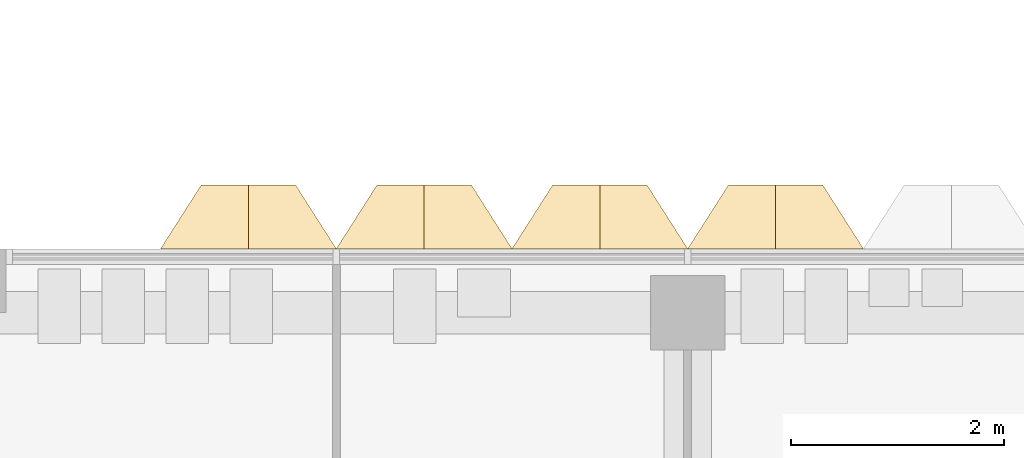
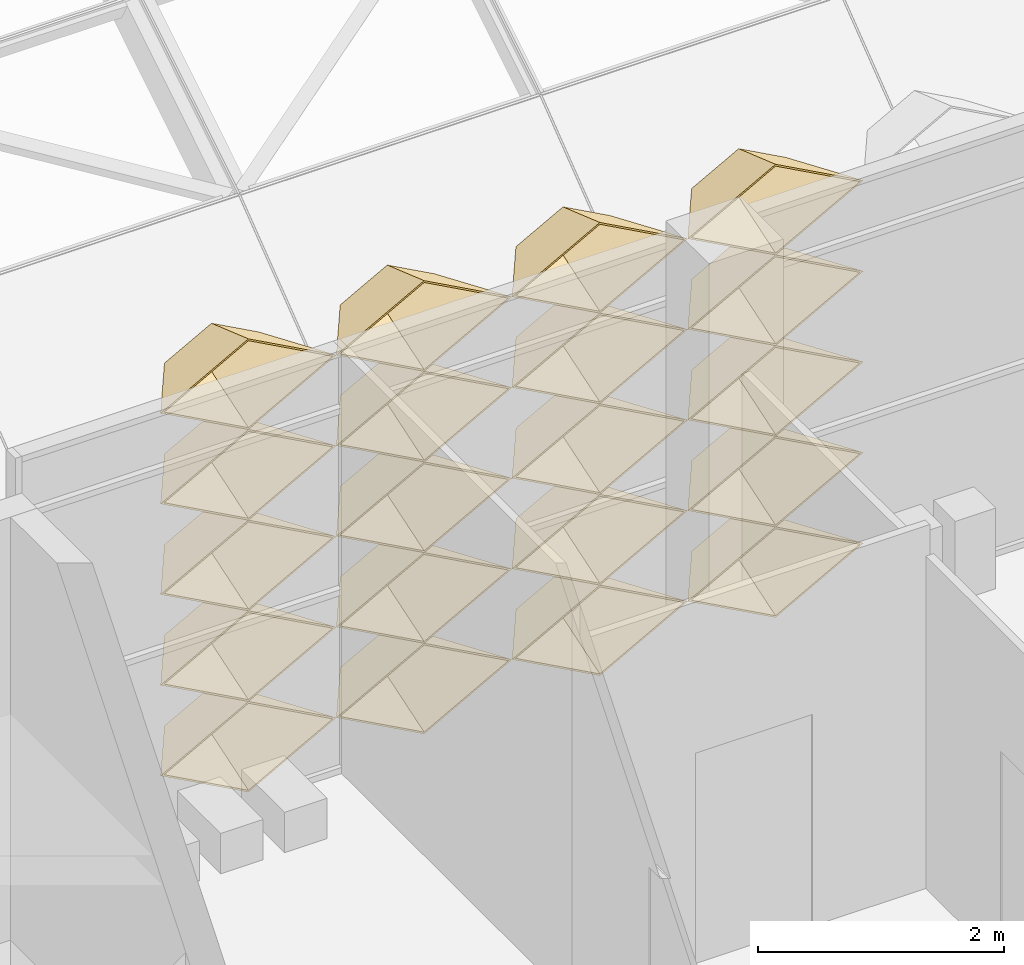
# One storey, part 54 of 85: 20 coverings.
"""IFC4 building model written with IfcOpenShell, lengths in metres."""

from ifc_helpers import new_model, entity, si_unit, direction, frame, origin, place, context, subcontext, project, spatial, material, layer, layer_set, type_object, element, save


model = new_model("IFC4")

# Units and contexts
model_context = context("Model", 3, precision=1e-05, world=origin(), true_north=direction((0.0, 1.0)))
body_context = subcontext(model_context, "Body", "Model", "MODEL_VIEW")
ifc_project = project(units=[si_unit("LENGTHUNIT", "METRE"), si_unit("AREAUNIT", "SQUARE_METRE"), si_unit("VOLUMEUNIT", "CUBIC_METRE"), si_unit("PLANEANGLEUNIT", "RADIAN"), si_unit("MASSUNIT", "GRAM", prefix="KILO")], contexts=[model_context])

# Site, building, storey
site_placement = place(None, origin())
site = spatial("IfcSite", under=ifc_project, at=site_placement, CompositionType="ELEMENT")
building_placement = place(site_placement, origin())
building = spatial("IfcBuilding", under=site, at=building_placement, Name="Lantern Court Research Institute", CompositionType="ELEMENT")
storey_placement = place(building_placement, frame((0.0, 0.0, 18.89990234375)))
storey = spatial("IfcBuildingStorey", under=building, at=storey_placement, Name="L04", CompositionType="ELEMENT", Elevation=18.89990234375)

# Coverings
ifc_material = material(Name="Anodised aluminium", Category="aluminium")
ifc_layer = layer(ifc_material, 0.01611328125)
ifc_layer_set = layer_set([ifc_layer], Name="Anodised aluminium")
covering_type = type_object("IfcCoveringType", Name="Fin cassette 1650 x 900 x 600 aluminium", PredefinedType="CLADDING", material=ifc_layer_set)
covering_1_placement = place(storey_placement, frame((42.074951171875, 23.699951171875, 0.4501953125), z_axis=(0.0, 1.0, 0.0), x_axis=(-1.0, 0.0, 0.0)))
cartesian_point_1 = entity("IfcCartesianPoint", [0.824951171875, 0.0])
cartesian_point_2 = entity("IfcCartesianPoint", [0.79150390625, 0.0])
cartesian_point_3 = entity("IfcCartesianPoint", [0.44189453125, 0.0])
cartesian_point_4 = entity("IfcCartesianPoint", [0.43359375, 0.0])
element("IfcCovering", 1, at=covering_1_placement, inside=storey, type_object=covering_type, Name="Fin cassette V4N-L04 1.26", PredefinedType="CLADDING", context=body_context, shape_type="SweptSolid", body=[
    entity("IfcExtrudedAreaSolidTapered", entity("IfcArbitraryProfileDefWithVoids", "AREA", None, entity("IfcPolyline", [cartesian_point_1, entity("IfcCartesianPoint", [0.0, 0.449951171875]), entity("IfcCartesianPoint", [-0.824951171875, 0.0]), entity("IfcCartesianPoint", [0.0, -0.449951171875]), cartesian_point_1]), [entity("IfcPolyline", [cartesian_point_2, entity("IfcCartesianPoint", [0.0, 0.431884765625]), entity("IfcCartesianPoint", [-0.79150390625, 0.0]), entity("IfcCartesianPoint", [0.0, -0.431884765625]), cartesian_point_2])]), entity("IfcAxis2Placement3D", entity("IfcCartesianPoint", [0.0, 0.0, 0.0])), entity("IfcDirection", [0.0, 0.0, 1.0]), 0.60009765625, entity("IfcArbitraryProfileDefWithVoids", "AREA", None, entity("IfcPolyline", [cartesian_point_3, entity("IfcCartesianPoint", [0.0, 0.240966796875]), entity("IfcCartesianPoint", [-0.44189453125, 0.0]), entity("IfcCartesianPoint", [0.0, -0.240966796875]), cartesian_point_3]), [entity("IfcPolyline", [cartesian_point_4, entity("IfcCartesianPoint", [0.0, 0.236572265625]), entity("IfcCartesianPoint", [-0.43359375, 0.0]), entity("IfcCartesianPoint", [0.0, -0.236572265625]), cartesian_point_4])])),
])
covering_2_placement = place(storey_placement, frame((43.72509765625, 23.699951171875, 0.4501953125), z_axis=(0.0, 1.0, 0.0), x_axis=(-1.0, 0.0, 0.0)))
cartesian_point_5 = entity("IfcCartesianPoint", [0.824951171875, 0.0])
cartesian_point_6 = entity("IfcCartesianPoint", [0.79150390625, 0.0])
cartesian_point_7 = entity("IfcCartesianPoint", [0.44189453125, 0.0])
cartesian_point_8 = entity("IfcCartesianPoint", [0.43359375, 0.0])
element("IfcCovering", 2, at=covering_2_placement, inside=storey, type_object=covering_type, Name="Fin cassette V4N-L04 1.27", PredefinedType="CLADDING", context=body_context, shape_type="SweptSolid", body=[
    entity("IfcExtrudedAreaSolidTapered", entity("IfcArbitraryProfileDefWithVoids", "AREA", None, entity("IfcPolyline", [cartesian_point_5, entity("IfcCartesianPoint", [0.0, 0.449951171875]), entity("IfcCartesianPoint", [-0.824951171875, 0.0]), entity("IfcCartesianPoint", [0.0, -0.449951171875]), cartesian_point_5]), [entity("IfcPolyline", [cartesian_point_6, entity("IfcCartesianPoint", [0.0, 0.431884765625]), entity("IfcCartesianPoint", [-0.79150390625, 0.0]), entity("IfcCartesianPoint", [0.0, -0.431884765625]), cartesian_point_6])]), entity("IfcAxis2Placement3D", entity("IfcCartesianPoint", [0.0, 0.0, 0.0])), entity("IfcDirection", [0.0, 0.0, 1.0]), 0.60009765625, entity("IfcArbitraryProfileDefWithVoids", "AREA", None, entity("IfcPolyline", [cartesian_point_7, entity("IfcCartesianPoint", [0.0, 0.240966796875]), entity("IfcCartesianPoint", [-0.44189453125, 0.0]), entity("IfcCartesianPoint", [0.0, -0.240966796875]), cartesian_point_7]), [entity("IfcPolyline", [cartesian_point_8, entity("IfcCartesianPoint", [0.0, 0.236572265625]), entity("IfcCartesianPoint", [-0.43359375, 0.0]), entity("IfcCartesianPoint", [0.0, -0.236572265625]), cartesian_point_8])])),
])
covering_3_placement = place(storey_placement, frame((45.375, 23.699951171875, 0.4501953125), z_axis=(0.0, 1.0, 0.0), x_axis=(-1.0, 0.0, 0.0)))
cartesian_point_9 = entity("IfcCartesianPoint", [0.824951171875, 0.0])
cartesian_point_10 = entity("IfcCartesianPoint", [0.79150390625, 0.0])
cartesian_point_11 = entity("IfcCartesianPoint", [0.44189453125, 0.0])
cartesian_point_12 = entity("IfcCartesianPoint", [0.43359375, 0.0])
element("IfcCovering", 3, at=covering_3_placement, inside=storey, type_object=covering_type, Name="Fin cassette V4N-L04 1.28", PredefinedType="CLADDING", context=body_context, shape_type="SweptSolid", body=[
    entity("IfcExtrudedAreaSolidTapered", entity("IfcArbitraryProfileDefWithVoids", "AREA", None, entity("IfcPolyline", [cartesian_point_9, entity("IfcCartesianPoint", [0.0, 0.449951171875]), entity("IfcCartesianPoint", [-0.824951171875, 0.0]), entity("IfcCartesianPoint", [0.0, -0.449951171875]), cartesian_point_9]), [entity("IfcPolyline", [cartesian_point_10, entity("IfcCartesianPoint", [0.0, 0.431884765625]), entity("IfcCartesianPoint", [-0.79150390625, 0.0]), entity("IfcCartesianPoint", [0.0, -0.431884765625]), cartesian_point_10])]), entity("IfcAxis2Placement3D", entity("IfcCartesianPoint", [0.0, 0.0, 0.0])), entity("IfcDirection", [0.0, 0.0, 1.0]), 0.60009765625, entity("IfcArbitraryProfileDefWithVoids", "AREA", None, entity("IfcPolyline", [cartesian_point_11, entity("IfcCartesianPoint", [0.0, 0.240966796875]), entity("IfcCartesianPoint", [-0.44189453125, 0.0]), entity("IfcCartesianPoint", [0.0, -0.240966796875]), cartesian_point_11]), [entity("IfcPolyline", [cartesian_point_12, entity("IfcCartesianPoint", [0.0, 0.236572265625]), entity("IfcCartesianPoint", [-0.43359375, 0.0]), entity("IfcCartesianPoint", [0.0, -0.236572265625]), cartesian_point_12])])),
])
covering_4_placement = place(storey_placement, frame((47.02490234375, 23.699951171875, 0.4501953125), z_axis=(0.0, 1.0, 0.0), x_axis=(-1.0, 0.0, 0.0)))
cartesian_point_13 = entity("IfcCartesianPoint", [0.824951171875, 0.0])
cartesian_point_14 = entity("IfcCartesianPoint", [0.79150390625, 0.0])
cartesian_point_15 = entity("IfcCartesianPoint", [0.44189453125, 0.0])
cartesian_point_16 = entity("IfcCartesianPoint", [0.43359375, 0.0])
element("IfcCovering", 4, at=covering_4_placement, inside=storey, type_object=covering_type, Name="Fin cassette V4N-L04 1.29", PredefinedType="CLADDING", context=body_context, shape_type="SweptSolid", body=[
    entity("IfcExtrudedAreaSolidTapered", entity("IfcArbitraryProfileDefWithVoids", "AREA", None, entity("IfcPolyline", [cartesian_point_13, entity("IfcCartesianPoint", [0.0, 0.449951171875]), entity("IfcCartesianPoint", [-0.824951171875, 0.0]), entity("IfcCartesianPoint", [0.0, -0.449951171875]), cartesian_point_13]), [entity("IfcPolyline", [cartesian_point_14, entity("IfcCartesianPoint", [0.0, 0.431884765625]), entity("IfcCartesianPoint", [-0.79150390625, 0.0]), entity("IfcCartesianPoint", [0.0, -0.431884765625]), cartesian_point_14])]), entity("IfcAxis2Placement3D", entity("IfcCartesianPoint", [0.0, 0.0, 0.0])), entity("IfcDirection", [0.0, 0.0, 1.0]), 0.60009765625, entity("IfcArbitraryProfileDefWithVoids", "AREA", None, entity("IfcPolyline", [cartesian_point_15, entity("IfcCartesianPoint", [0.0, 0.240966796875]), entity("IfcCartesianPoint", [-0.44189453125, 0.0]), entity("IfcCartesianPoint", [0.0, -0.240966796875]), cartesian_point_15]), [entity("IfcPolyline", [cartesian_point_16, entity("IfcCartesianPoint", [0.0, 0.236572265625]), entity("IfcCartesianPoint", [-0.43359375, 0.0]), entity("IfcCartesianPoint", [0.0, -0.236572265625]), cartesian_point_16])])),
])
covering_5_placement = place(storey_placement, frame((42.074951171875, 23.699951171875, 1.35009765625), z_axis=(0.0, 1.0, 0.0), x_axis=(-1.0, 0.0, 0.0)))
cartesian_point_17 = entity("IfcCartesianPoint", [0.824951171875, 0.0])
cartesian_point_18 = entity("IfcCartesianPoint", [0.79150390625, 0.0])
cartesian_point_19 = entity("IfcCartesianPoint", [0.44189453125, 0.0])
cartesian_point_20 = entity("IfcCartesianPoint", [0.43359375, 0.0])
element("IfcCovering", 5, at=covering_5_placement, inside=storey, type_object=covering_type, Name="Fin cassette V4N-L04 2.26", PredefinedType="CLADDING", context=body_context, shape_type="SweptSolid", body=[
    entity("IfcExtrudedAreaSolidTapered", entity("IfcArbitraryProfileDefWithVoids", "AREA", None, entity("IfcPolyline", [cartesian_point_17, entity("IfcCartesianPoint", [0.0, 0.449951171875]), entity("IfcCartesianPoint", [-0.824951171875, 0.0]), entity("IfcCartesianPoint", [0.0, -0.449951171875]), cartesian_point_17]), [entity("IfcPolyline", [cartesian_point_18, entity("IfcCartesianPoint", [0.0, 0.431884765625]), entity("IfcCartesianPoint", [-0.79150390625, 0.0]), entity("IfcCartesianPoint", [0.0, -0.431884765625]), cartesian_point_18])]), entity("IfcAxis2Placement3D", entity("IfcCartesianPoint", [0.0, 0.0, 0.0])), entity("IfcDirection", [0.0, 0.0, 1.0]), 0.60009765625, entity("IfcArbitraryProfileDefWithVoids", "AREA", None, entity("IfcPolyline", [cartesian_point_19, entity("IfcCartesianPoint", [0.0, 0.240966796875]), entity("IfcCartesianPoint", [-0.44189453125, 0.0]), entity("IfcCartesianPoint", [0.0, -0.240966796875]), cartesian_point_19]), [entity("IfcPolyline", [cartesian_point_20, entity("IfcCartesianPoint", [0.0, 0.236572265625]), entity("IfcCartesianPoint", [-0.43359375, 0.0]), entity("IfcCartesianPoint", [0.0, -0.236572265625]), cartesian_point_20])])),
])
covering_6_placement = place(storey_placement, frame((43.72509765625, 23.699951171875, 1.35009765625), z_axis=(0.0, 1.0, 0.0), x_axis=(-1.0, 0.0, 0.0)))
cartesian_point_21 = entity("IfcCartesianPoint", [0.824951171875, 0.0])
cartesian_point_22 = entity("IfcCartesianPoint", [0.79150390625, 0.0])
cartesian_point_23 = entity("IfcCartesianPoint", [0.44189453125, 0.0])
cartesian_point_24 = entity("IfcCartesianPoint", [0.43359375, 0.0])
element("IfcCovering", 6, at=covering_6_placement, inside=storey, type_object=covering_type, Name="Fin cassette V4N-L04 2.27", PredefinedType="CLADDING", context=body_context, shape_type="SweptSolid", body=[
    entity("IfcExtrudedAreaSolidTapered", entity("IfcArbitraryProfileDefWithVoids", "AREA", None, entity("IfcPolyline", [cartesian_point_21, entity("IfcCartesianPoint", [0.0, 0.449951171875]), entity("IfcCartesianPoint", [-0.824951171875, 0.0]), entity("IfcCartesianPoint", [0.0, -0.449951171875]), cartesian_point_21]), [entity("IfcPolyline", [cartesian_point_22, entity("IfcCartesianPoint", [0.0, 0.431884765625]), entity("IfcCartesianPoint", [-0.79150390625, 0.0]), entity("IfcCartesianPoint", [0.0, -0.431884765625]), cartesian_point_22])]), entity("IfcAxis2Placement3D", entity("IfcCartesianPoint", [0.0, 0.0, 0.0])), entity("IfcDirection", [0.0, 0.0, 1.0]), 0.60009765625, entity("IfcArbitraryProfileDefWithVoids", "AREA", None, entity("IfcPolyline", [cartesian_point_23, entity("IfcCartesianPoint", [0.0, 0.240966796875]), entity("IfcCartesianPoint", [-0.44189453125, 0.0]), entity("IfcCartesianPoint", [0.0, -0.240966796875]), cartesian_point_23]), [entity("IfcPolyline", [cartesian_point_24, entity("IfcCartesianPoint", [0.0, 0.236572265625]), entity("IfcCartesianPoint", [-0.43359375, 0.0]), entity("IfcCartesianPoint", [0.0, -0.236572265625]), cartesian_point_24])])),
])
covering_7_placement = place(storey_placement, frame((45.375, 23.699951171875, 1.35009765625), z_axis=(0.0, 1.0, 0.0), x_axis=(-1.0, 0.0, 0.0)))
cartesian_point_25 = entity("IfcCartesianPoint", [0.824951171875, 0.0])
cartesian_point_26 = entity("IfcCartesianPoint", [0.79150390625, 0.0])
cartesian_point_27 = entity("IfcCartesianPoint", [0.44189453125, 0.0])
cartesian_point_28 = entity("IfcCartesianPoint", [0.43359375, 0.0])
element("IfcCovering", 7, at=covering_7_placement, inside=storey, type_object=covering_type, Name="Fin cassette V4N-L04 2.28", PredefinedType="CLADDING", context=body_context, shape_type="SweptSolid", body=[
    entity("IfcExtrudedAreaSolidTapered", entity("IfcArbitraryProfileDefWithVoids", "AREA", None, entity("IfcPolyline", [cartesian_point_25, entity("IfcCartesianPoint", [0.0, 0.449951171875]), entity("IfcCartesianPoint", [-0.824951171875, 0.0]), entity("IfcCartesianPoint", [0.0, -0.449951171875]), cartesian_point_25]), [entity("IfcPolyline", [cartesian_point_26, entity("IfcCartesianPoint", [0.0, 0.431884765625]), entity("IfcCartesianPoint", [-0.79150390625, 0.0]), entity("IfcCartesianPoint", [0.0, -0.431884765625]), cartesian_point_26])]), entity("IfcAxis2Placement3D", entity("IfcCartesianPoint", [0.0, 0.0, 0.0])), entity("IfcDirection", [0.0, 0.0, 1.0]), 0.60009765625, entity("IfcArbitraryProfileDefWithVoids", "AREA", None, entity("IfcPolyline", [cartesian_point_27, entity("IfcCartesianPoint", [0.0, 0.240966796875]), entity("IfcCartesianPoint", [-0.44189453125, 0.0]), entity("IfcCartesianPoint", [0.0, -0.240966796875]), cartesian_point_27]), [entity("IfcPolyline", [cartesian_point_28, entity("IfcCartesianPoint", [0.0, 0.236572265625]), entity("IfcCartesianPoint", [-0.43359375, 0.0]), entity("IfcCartesianPoint", [0.0, -0.236572265625]), cartesian_point_28])])),
])
covering_8_placement = place(storey_placement, frame((47.02490234375, 23.699951171875, 1.35009765625), z_axis=(0.0, 1.0, 0.0), x_axis=(-1.0, 0.0, 0.0)))
cartesian_point_29 = entity("IfcCartesianPoint", [0.824951171875, 0.0])
cartesian_point_30 = entity("IfcCartesianPoint", [0.79150390625, 0.0])
cartesian_point_31 = entity("IfcCartesianPoint", [0.44189453125, 0.0])
cartesian_point_32 = entity("IfcCartesianPoint", [0.43359375, 0.0])
element("IfcCovering", 8, at=covering_8_placement, inside=storey, type_object=covering_type, Name="Fin cassette V4N-L04 2.29", PredefinedType="CLADDING", context=body_context, shape_type="SweptSolid", body=[
    entity("IfcExtrudedAreaSolidTapered", entity("IfcArbitraryProfileDefWithVoids", "AREA", None, entity("IfcPolyline", [cartesian_point_29, entity("IfcCartesianPoint", [0.0, 0.449951171875]), entity("IfcCartesianPoint", [-0.824951171875, 0.0]), entity("IfcCartesianPoint", [0.0, -0.449951171875]), cartesian_point_29]), [entity("IfcPolyline", [cartesian_point_30, entity("IfcCartesianPoint", [0.0, 0.431884765625]), entity("IfcCartesianPoint", [-0.79150390625, 0.0]), entity("IfcCartesianPoint", [0.0, -0.431884765625]), cartesian_point_30])]), entity("IfcAxis2Placement3D", entity("IfcCartesianPoint", [0.0, 0.0, 0.0])), entity("IfcDirection", [0.0, 0.0, 1.0]), 0.60009765625, entity("IfcArbitraryProfileDefWithVoids", "AREA", None, entity("IfcPolyline", [cartesian_point_31, entity("IfcCartesianPoint", [0.0, 0.240966796875]), entity("IfcCartesianPoint", [-0.44189453125, 0.0]), entity("IfcCartesianPoint", [0.0, -0.240966796875]), cartesian_point_31]), [entity("IfcPolyline", [cartesian_point_32, entity("IfcCartesianPoint", [0.0, 0.236572265625]), entity("IfcCartesianPoint", [-0.43359375, 0.0]), entity("IfcCartesianPoint", [0.0, -0.236572265625]), cartesian_point_32])])),
])
covering_9_placement = place(storey_placement, frame((42.074951171875, 23.699951171875, 2.25), z_axis=(0.0, 1.0, 0.0), x_axis=(-1.0, 0.0, 0.0)))
cartesian_point_33 = entity("IfcCartesianPoint", [0.824951171875, 0.0])
cartesian_point_34 = entity("IfcCartesianPoint", [0.79150390625, 0.0])
cartesian_point_35 = entity("IfcCartesianPoint", [0.44189453125, 0.0])
cartesian_point_36 = entity("IfcCartesianPoint", [0.43359375, 0.0])
element("IfcCovering", 9, at=covering_9_placement, inside=storey, type_object=covering_type, Name="Fin cassette V4N-L04 3.26", PredefinedType="CLADDING", context=body_context, shape_type="SweptSolid", body=[
    entity("IfcExtrudedAreaSolidTapered", entity("IfcArbitraryProfileDefWithVoids", "AREA", None, entity("IfcPolyline", [cartesian_point_33, entity("IfcCartesianPoint", [0.0, 0.449951171875]), entity("IfcCartesianPoint", [-0.824951171875, 0.0]), entity("IfcCartesianPoint", [0.0, -0.449951171875]), cartesian_point_33]), [entity("IfcPolyline", [cartesian_point_34, entity("IfcCartesianPoint", [0.0, 0.431884765625]), entity("IfcCartesianPoint", [-0.79150390625, 0.0]), entity("IfcCartesianPoint", [0.0, -0.431884765625]), cartesian_point_34])]), entity("IfcAxis2Placement3D", entity("IfcCartesianPoint", [0.0, 0.0, 0.0])), entity("IfcDirection", [0.0, 0.0, 1.0]), 0.60009765625, entity("IfcArbitraryProfileDefWithVoids", "AREA", None, entity("IfcPolyline", [cartesian_point_35, entity("IfcCartesianPoint", [0.0, 0.240966796875]), entity("IfcCartesianPoint", [-0.44189453125, 0.0]), entity("IfcCartesianPoint", [0.0, -0.240966796875]), cartesian_point_35]), [entity("IfcPolyline", [cartesian_point_36, entity("IfcCartesianPoint", [0.0, 0.236572265625]), entity("IfcCartesianPoint", [-0.43359375, 0.0]), entity("IfcCartesianPoint", [0.0, -0.236572265625]), cartesian_point_36])])),
])
covering_10_placement = place(storey_placement, frame((43.72509765625, 23.699951171875, 2.25), z_axis=(0.0, 1.0, 0.0), x_axis=(-1.0, 0.0, 0.0)))
cartesian_point_37 = entity("IfcCartesianPoint", [0.824951171875, 0.0])
cartesian_point_38 = entity("IfcCartesianPoint", [0.79150390625, 0.0])
cartesian_point_39 = entity("IfcCartesianPoint", [0.44189453125, 0.0])
cartesian_point_40 = entity("IfcCartesianPoint", [0.43359375, 0.0])
element("IfcCovering", 10, at=covering_10_placement, inside=storey, type_object=covering_type, Name="Fin cassette V4N-L04 3.27", PredefinedType="CLADDING", context=body_context, shape_type="SweptSolid", body=[
    entity("IfcExtrudedAreaSolidTapered", entity("IfcArbitraryProfileDefWithVoids", "AREA", None, entity("IfcPolyline", [cartesian_point_37, entity("IfcCartesianPoint", [0.0, 0.449951171875]), entity("IfcCartesianPoint", [-0.824951171875, 0.0]), entity("IfcCartesianPoint", [0.0, -0.449951171875]), cartesian_point_37]), [entity("IfcPolyline", [cartesian_point_38, entity("IfcCartesianPoint", [0.0, 0.431884765625]), entity("IfcCartesianPoint", [-0.79150390625, 0.0]), entity("IfcCartesianPoint", [0.0, -0.431884765625]), cartesian_point_38])]), entity("IfcAxis2Placement3D", entity("IfcCartesianPoint", [0.0, 0.0, 0.0])), entity("IfcDirection", [0.0, 0.0, 1.0]), 0.60009765625, entity("IfcArbitraryProfileDefWithVoids", "AREA", None, entity("IfcPolyline", [cartesian_point_39, entity("IfcCartesianPoint", [0.0, 0.240966796875]), entity("IfcCartesianPoint", [-0.44189453125, 0.0]), entity("IfcCartesianPoint", [0.0, -0.240966796875]), cartesian_point_39]), [entity("IfcPolyline", [cartesian_point_40, entity("IfcCartesianPoint", [0.0, 0.236572265625]), entity("IfcCartesianPoint", [-0.43359375, 0.0]), entity("IfcCartesianPoint", [0.0, -0.236572265625]), cartesian_point_40])])),
])
covering_11_placement = place(storey_placement, frame((45.375, 23.699951171875, 2.25), z_axis=(0.0, 1.0, 0.0), x_axis=(-1.0, 0.0, 0.0)))
cartesian_point_41 = entity("IfcCartesianPoint", [0.824951171875, 0.0])
cartesian_point_42 = entity("IfcCartesianPoint", [0.79150390625, 0.0])
cartesian_point_43 = entity("IfcCartesianPoint", [0.44189453125, 0.0])
cartesian_point_44 = entity("IfcCartesianPoint", [0.43359375, 0.0])
element("IfcCovering", 11, at=covering_11_placement, inside=storey, type_object=covering_type, Name="Fin cassette V4N-L04 3.28", PredefinedType="CLADDING", context=body_context, shape_type="SweptSolid", body=[
    entity("IfcExtrudedAreaSolidTapered", entity("IfcArbitraryProfileDefWithVoids", "AREA", None, entity("IfcPolyline", [cartesian_point_41, entity("IfcCartesianPoint", [0.0, 0.449951171875]), entity("IfcCartesianPoint", [-0.824951171875, 0.0]), entity("IfcCartesianPoint", [0.0, -0.449951171875]), cartesian_point_41]), [entity("IfcPolyline", [cartesian_point_42, entity("IfcCartesianPoint", [0.0, 0.431884765625]), entity("IfcCartesianPoint", [-0.79150390625, 0.0]), entity("IfcCartesianPoint", [0.0, -0.431884765625]), cartesian_point_42])]), entity("IfcAxis2Placement3D", entity("IfcCartesianPoint", [0.0, 0.0, 0.0])), entity("IfcDirection", [0.0, 0.0, 1.0]), 0.60009765625, entity("IfcArbitraryProfileDefWithVoids", "AREA", None, entity("IfcPolyline", [cartesian_point_43, entity("IfcCartesianPoint", [0.0, 0.240966796875]), entity("IfcCartesianPoint", [-0.44189453125, 0.0]), entity("IfcCartesianPoint", [0.0, -0.240966796875]), cartesian_point_43]), [entity("IfcPolyline", [cartesian_point_44, entity("IfcCartesianPoint", [0.0, 0.236572265625]), entity("IfcCartesianPoint", [-0.43359375, 0.0]), entity("IfcCartesianPoint", [0.0, -0.236572265625]), cartesian_point_44])])),
])
covering_12_placement = place(storey_placement, frame((47.02490234375, 23.699951171875, 2.25), z_axis=(0.0, 1.0, 0.0), x_axis=(-1.0, 0.0, 0.0)))
cartesian_point_45 = entity("IfcCartesianPoint", [0.824951171875, 0.0])
cartesian_point_46 = entity("IfcCartesianPoint", [0.79150390625, 0.0])
cartesian_point_47 = entity("IfcCartesianPoint", [0.44189453125, 0.0])
cartesian_point_48 = entity("IfcCartesianPoint", [0.43359375, 0.0])
element("IfcCovering", 12, at=covering_12_placement, inside=storey, type_object=covering_type, Name="Fin cassette V4N-L04 3.29", PredefinedType="CLADDING", context=body_context, shape_type="SweptSolid", body=[
    entity("IfcExtrudedAreaSolidTapered", entity("IfcArbitraryProfileDefWithVoids", "AREA", None, entity("IfcPolyline", [cartesian_point_45, entity("IfcCartesianPoint", [0.0, 0.449951171875]), entity("IfcCartesianPoint", [-0.824951171875, 0.0]), entity("IfcCartesianPoint", [0.0, -0.449951171875]), cartesian_point_45]), [entity("IfcPolyline", [cartesian_point_46, entity("IfcCartesianPoint", [0.0, 0.431884765625]), entity("IfcCartesianPoint", [-0.79150390625, 0.0]), entity("IfcCartesianPoint", [0.0, -0.431884765625]), cartesian_point_46])]), entity("IfcAxis2Placement3D", entity("IfcCartesianPoint", [0.0, 0.0, 0.0])), entity("IfcDirection", [0.0, 0.0, 1.0]), 0.60009765625, entity("IfcArbitraryProfileDefWithVoids", "AREA", None, entity("IfcPolyline", [cartesian_point_47, entity("IfcCartesianPoint", [0.0, 0.240966796875]), entity("IfcCartesianPoint", [-0.44189453125, 0.0]), entity("IfcCartesianPoint", [0.0, -0.240966796875]), cartesian_point_47]), [entity("IfcPolyline", [cartesian_point_48, entity("IfcCartesianPoint", [0.0, 0.236572265625]), entity("IfcCartesianPoint", [-0.43359375, 0.0]), entity("IfcCartesianPoint", [0.0, -0.236572265625]), cartesian_point_48])])),
])
covering_13_placement = place(storey_placement, frame((42.074951171875, 23.699951171875, 3.150146484375), z_axis=(0.0, 1.0, 0.0), x_axis=(-1.0, 0.0, 0.0)))
cartesian_point_49 = entity("IfcCartesianPoint", [0.824951171875, 0.0])
cartesian_point_50 = entity("IfcCartesianPoint", [0.79150390625, 0.0])
cartesian_point_51 = entity("IfcCartesianPoint", [0.44189453125, 0.0])
cartesian_point_52 = entity("IfcCartesianPoint", [0.43359375, 0.0])
element("IfcCovering", 13, at=covering_13_placement, inside=storey, type_object=covering_type, Name="Fin cassette V4N-L04 4.26", PredefinedType="CLADDING", context=body_context, shape_type="SweptSolid", body=[
    entity("IfcExtrudedAreaSolidTapered", entity("IfcArbitraryProfileDefWithVoids", "AREA", None, entity("IfcPolyline", [cartesian_point_49, entity("IfcCartesianPoint", [0.0, 0.449951171875]), entity("IfcCartesianPoint", [-0.824951171875, 0.0]), entity("IfcCartesianPoint", [0.0, -0.449951171875]), cartesian_point_49]), [entity("IfcPolyline", [cartesian_point_50, entity("IfcCartesianPoint", [0.0, 0.431884765625]), entity("IfcCartesianPoint", [-0.79150390625, 0.0]), entity("IfcCartesianPoint", [0.0, -0.431884765625]), cartesian_point_50])]), entity("IfcAxis2Placement3D", entity("IfcCartesianPoint", [0.0, 0.0, 0.0])), entity("IfcDirection", [0.0, 0.0, 1.0]), 0.60009765625, entity("IfcArbitraryProfileDefWithVoids", "AREA", None, entity("IfcPolyline", [cartesian_point_51, entity("IfcCartesianPoint", [0.0, 0.240966796875]), entity("IfcCartesianPoint", [-0.44189453125, 0.0]), entity("IfcCartesianPoint", [0.0, -0.240966796875]), cartesian_point_51]), [entity("IfcPolyline", [cartesian_point_52, entity("IfcCartesianPoint", [0.0, 0.236572265625]), entity("IfcCartesianPoint", [-0.43359375, 0.0]), entity("IfcCartesianPoint", [0.0, -0.236572265625]), cartesian_point_52])])),
])
covering_14_placement = place(storey_placement, frame((43.72509765625, 23.699951171875, 3.150146484375), z_axis=(0.0, 1.0, 0.0), x_axis=(-1.0, 0.0, 0.0)))
cartesian_point_53 = entity("IfcCartesianPoint", [0.824951171875, 0.0])
cartesian_point_54 = entity("IfcCartesianPoint", [0.79150390625, 0.0])
cartesian_point_55 = entity("IfcCartesianPoint", [0.44189453125, 0.0])
cartesian_point_56 = entity("IfcCartesianPoint", [0.43359375, 0.0])
element("IfcCovering", 14, at=covering_14_placement, inside=storey, type_object=covering_type, Name="Fin cassette V4N-L04 4.27", PredefinedType="CLADDING", context=body_context, shape_type="SweptSolid", body=[
    entity("IfcExtrudedAreaSolidTapered", entity("IfcArbitraryProfileDefWithVoids", "AREA", None, entity("IfcPolyline", [cartesian_point_53, entity("IfcCartesianPoint", [0.0, 0.449951171875]), entity("IfcCartesianPoint", [-0.824951171875, 0.0]), entity("IfcCartesianPoint", [0.0, -0.449951171875]), cartesian_point_53]), [entity("IfcPolyline", [cartesian_point_54, entity("IfcCartesianPoint", [0.0, 0.431884765625]), entity("IfcCartesianPoint", [-0.79150390625, 0.0]), entity("IfcCartesianPoint", [0.0, -0.431884765625]), cartesian_point_54])]), entity("IfcAxis2Placement3D", entity("IfcCartesianPoint", [0.0, 0.0, 0.0])), entity("IfcDirection", [0.0, 0.0, 1.0]), 0.60009765625, entity("IfcArbitraryProfileDefWithVoids", "AREA", None, entity("IfcPolyline", [cartesian_point_55, entity("IfcCartesianPoint", [0.0, 0.240966796875]), entity("IfcCartesianPoint", [-0.44189453125, 0.0]), entity("IfcCartesianPoint", [0.0, -0.240966796875]), cartesian_point_55]), [entity("IfcPolyline", [cartesian_point_56, entity("IfcCartesianPoint", [0.0, 0.236572265625]), entity("IfcCartesianPoint", [-0.43359375, 0.0]), entity("IfcCartesianPoint", [0.0, -0.236572265625]), cartesian_point_56])])),
])
covering_15_placement = place(storey_placement, frame((45.375, 23.699951171875, 3.150146484375), z_axis=(0.0, 1.0, 0.0), x_axis=(-1.0, 0.0, 0.0)))
cartesian_point_57 = entity("IfcCartesianPoint", [0.824951171875, 0.0])
cartesian_point_58 = entity("IfcCartesianPoint", [0.79150390625, 0.0])
cartesian_point_59 = entity("IfcCartesianPoint", [0.44189453125, 0.0])
cartesian_point_60 = entity("IfcCartesianPoint", [0.43359375, 0.0])
element("IfcCovering", 15, at=covering_15_placement, inside=storey, type_object=covering_type, Name="Fin cassette V4N-L04 4.28", PredefinedType="CLADDING", context=body_context, shape_type="SweptSolid", body=[
    entity("IfcExtrudedAreaSolidTapered", entity("IfcArbitraryProfileDefWithVoids", "AREA", None, entity("IfcPolyline", [cartesian_point_57, entity("IfcCartesianPoint", [0.0, 0.449951171875]), entity("IfcCartesianPoint", [-0.824951171875, 0.0]), entity("IfcCartesianPoint", [0.0, -0.449951171875]), cartesian_point_57]), [entity("IfcPolyline", [cartesian_point_58, entity("IfcCartesianPoint", [0.0, 0.431884765625]), entity("IfcCartesianPoint", [-0.79150390625, 0.0]), entity("IfcCartesianPoint", [0.0, -0.431884765625]), cartesian_point_58])]), entity("IfcAxis2Placement3D", entity("IfcCartesianPoint", [0.0, 0.0, 0.0])), entity("IfcDirection", [0.0, 0.0, 1.0]), 0.60009765625, entity("IfcArbitraryProfileDefWithVoids", "AREA", None, entity("IfcPolyline", [cartesian_point_59, entity("IfcCartesianPoint", [0.0, 0.240966796875]), entity("IfcCartesianPoint", [-0.44189453125, 0.0]), entity("IfcCartesianPoint", [0.0, -0.240966796875]), cartesian_point_59]), [entity("IfcPolyline", [cartesian_point_60, entity("IfcCartesianPoint", [0.0, 0.236572265625]), entity("IfcCartesianPoint", [-0.43359375, 0.0]), entity("IfcCartesianPoint", [0.0, -0.236572265625]), cartesian_point_60])])),
])
covering_16_placement = place(storey_placement, frame((47.02490234375, 23.699951171875, 3.150146484375), z_axis=(0.0, 1.0, 0.0), x_axis=(-1.0, 0.0, 0.0)))
cartesian_point_61 = entity("IfcCartesianPoint", [0.824951171875, 0.0])
cartesian_point_62 = entity("IfcCartesianPoint", [0.79150390625, 0.0])
cartesian_point_63 = entity("IfcCartesianPoint", [0.44189453125, 0.0])
cartesian_point_64 = entity("IfcCartesianPoint", [0.43359375, 0.0])
element("IfcCovering", 16, at=covering_16_placement, inside=storey, type_object=covering_type, Name="Fin cassette V4N-L04 4.29", PredefinedType="CLADDING", context=body_context, shape_type="SweptSolid", body=[
    entity("IfcExtrudedAreaSolidTapered", entity("IfcArbitraryProfileDefWithVoids", "AREA", None, entity("IfcPolyline", [cartesian_point_61, entity("IfcCartesianPoint", [0.0, 0.449951171875]), entity("IfcCartesianPoint", [-0.824951171875, 0.0]), entity("IfcCartesianPoint", [0.0, -0.449951171875]), cartesian_point_61]), [entity("IfcPolyline", [cartesian_point_62, entity("IfcCartesianPoint", [0.0, 0.431884765625]), entity("IfcCartesianPoint", [-0.79150390625, 0.0]), entity("IfcCartesianPoint", [0.0, -0.431884765625]), cartesian_point_62])]), entity("IfcAxis2Placement3D", entity("IfcCartesianPoint", [0.0, 0.0, 0.0])), entity("IfcDirection", [0.0, 0.0, 1.0]), 0.60009765625, entity("IfcArbitraryProfileDefWithVoids", "AREA", None, entity("IfcPolyline", [cartesian_point_63, entity("IfcCartesianPoint", [0.0, 0.240966796875]), entity("IfcCartesianPoint", [-0.44189453125, 0.0]), entity("IfcCartesianPoint", [0.0, -0.240966796875]), cartesian_point_63]), [entity("IfcPolyline", [cartesian_point_64, entity("IfcCartesianPoint", [0.0, 0.236572265625]), entity("IfcCartesianPoint", [-0.43359375, 0.0]), entity("IfcCartesianPoint", [0.0, -0.236572265625]), cartesian_point_64])])),
])
covering_17_placement = place(storey_placement, frame((42.074951171875, 23.699951171875, 4.050048828125), z_axis=(0.0, 1.0, 0.0), x_axis=(-1.0, 0.0, 0.0)))
cartesian_point_65 = entity("IfcCartesianPoint", [0.824951171875, 0.0])
cartesian_point_66 = entity("IfcCartesianPoint", [0.79150390625, 0.0])
cartesian_point_67 = entity("IfcCartesianPoint", [0.44189453125, 0.0])
cartesian_point_68 = entity("IfcCartesianPoint", [0.43359375, 0.0])
element("IfcCovering", 17, at=covering_17_placement, inside=storey, type_object=covering_type, Name="Fin cassette V4N-L04 5.26", PredefinedType="CLADDING", context=body_context, shape_type="SweptSolid", body=[
    entity("IfcExtrudedAreaSolidTapered", entity("IfcArbitraryProfileDefWithVoids", "AREA", None, entity("IfcPolyline", [cartesian_point_65, entity("IfcCartesianPoint", [0.0, 0.449951171875]), entity("IfcCartesianPoint", [-0.824951171875, 0.0]), entity("IfcCartesianPoint", [0.0, -0.449951171875]), cartesian_point_65]), [entity("IfcPolyline", [cartesian_point_66, entity("IfcCartesianPoint", [0.0, 0.431884765625]), entity("IfcCartesianPoint", [-0.79150390625, 0.0]), entity("IfcCartesianPoint", [0.0, -0.431884765625]), cartesian_point_66])]), entity("IfcAxis2Placement3D", entity("IfcCartesianPoint", [0.0, 0.0, 0.0])), entity("IfcDirection", [0.0, 0.0, 1.0]), 0.60009765625, entity("IfcArbitraryProfileDefWithVoids", "AREA", None, entity("IfcPolyline", [cartesian_point_67, entity("IfcCartesianPoint", [0.0, 0.240966796875]), entity("IfcCartesianPoint", [-0.44189453125, 0.0]), entity("IfcCartesianPoint", [0.0, -0.240966796875]), cartesian_point_67]), [entity("IfcPolyline", [cartesian_point_68, entity("IfcCartesianPoint", [0.0, 0.236572265625]), entity("IfcCartesianPoint", [-0.43359375, 0.0]), entity("IfcCartesianPoint", [0.0, -0.236572265625]), cartesian_point_68])])),
])
covering_18_placement = place(storey_placement, frame((43.72509765625, 23.699951171875, 4.050048828125), z_axis=(0.0, 1.0, 0.0), x_axis=(-1.0, 0.0, 0.0)))
cartesian_point_69 = entity("IfcCartesianPoint", [0.824951171875, 0.0])
cartesian_point_70 = entity("IfcCartesianPoint", [0.79150390625, 0.0])
cartesian_point_71 = entity("IfcCartesianPoint", [0.44189453125, 0.0])
cartesian_point_72 = entity("IfcCartesianPoint", [0.43359375, 0.0])
element("IfcCovering", 18, at=covering_18_placement, inside=storey, type_object=covering_type, Name="Fin cassette V4N-L04 5.27", PredefinedType="CLADDING", context=body_context, shape_type="SweptSolid", body=[
    entity("IfcExtrudedAreaSolidTapered", entity("IfcArbitraryProfileDefWithVoids", "AREA", None, entity("IfcPolyline", [cartesian_point_69, entity("IfcCartesianPoint", [0.0, 0.449951171875]), entity("IfcCartesianPoint", [-0.824951171875, 0.0]), entity("IfcCartesianPoint", [0.0, -0.449951171875]), cartesian_point_69]), [entity("IfcPolyline", [cartesian_point_70, entity("IfcCartesianPoint", [0.0, 0.431884765625]), entity("IfcCartesianPoint", [-0.79150390625, 0.0]), entity("IfcCartesianPoint", [0.0, -0.431884765625]), cartesian_point_70])]), entity("IfcAxis2Placement3D", entity("IfcCartesianPoint", [0.0, 0.0, 0.0])), entity("IfcDirection", [0.0, 0.0, 1.0]), 0.60009765625, entity("IfcArbitraryProfileDefWithVoids", "AREA", None, entity("IfcPolyline", [cartesian_point_71, entity("IfcCartesianPoint", [0.0, 0.240966796875]), entity("IfcCartesianPoint", [-0.44189453125, 0.0]), entity("IfcCartesianPoint", [0.0, -0.240966796875]), cartesian_point_71]), [entity("IfcPolyline", [cartesian_point_72, entity("IfcCartesianPoint", [0.0, 0.236572265625]), entity("IfcCartesianPoint", [-0.43359375, 0.0]), entity("IfcCartesianPoint", [0.0, -0.236572265625]), cartesian_point_72])])),
])
covering_19_placement = place(storey_placement, frame((45.375, 23.699951171875, 4.050048828125), z_axis=(0.0, 1.0, 0.0), x_axis=(-1.0, 0.0, 0.0)))
cartesian_point_73 = entity("IfcCartesianPoint", [0.824951171875, 0.0])
cartesian_point_74 = entity("IfcCartesianPoint", [0.79150390625, 0.0])
cartesian_point_75 = entity("IfcCartesianPoint", [0.44189453125, 0.0])
cartesian_point_76 = entity("IfcCartesianPoint", [0.43359375, 0.0])
element("IfcCovering", 19, at=covering_19_placement, inside=storey, type_object=covering_type, Name="Fin cassette V4N-L04 5.28", PredefinedType="CLADDING", context=body_context, shape_type="SweptSolid", body=[
    entity("IfcExtrudedAreaSolidTapered", entity("IfcArbitraryProfileDefWithVoids", "AREA", None, entity("IfcPolyline", [cartesian_point_73, entity("IfcCartesianPoint", [0.0, 0.449951171875]), entity("IfcCartesianPoint", [-0.824951171875, 0.0]), entity("IfcCartesianPoint", [0.0, -0.449951171875]), cartesian_point_73]), [entity("IfcPolyline", [cartesian_point_74, entity("IfcCartesianPoint", [0.0, 0.431884765625]), entity("IfcCartesianPoint", [-0.79150390625, 0.0]), entity("IfcCartesianPoint", [0.0, -0.431884765625]), cartesian_point_74])]), entity("IfcAxis2Placement3D", entity("IfcCartesianPoint", [0.0, 0.0, 0.0])), entity("IfcDirection", [0.0, 0.0, 1.0]), 0.60009765625, entity("IfcArbitraryProfileDefWithVoids", "AREA", None, entity("IfcPolyline", [cartesian_point_75, entity("IfcCartesianPoint", [0.0, 0.240966796875]), entity("IfcCartesianPoint", [-0.44189453125, 0.0]), entity("IfcCartesianPoint", [0.0, -0.240966796875]), cartesian_point_75]), [entity("IfcPolyline", [cartesian_point_76, entity("IfcCartesianPoint", [0.0, 0.236572265625]), entity("IfcCartesianPoint", [-0.43359375, 0.0]), entity("IfcCartesianPoint", [0.0, -0.236572265625]), cartesian_point_76])])),
])
covering_20_placement = place(storey_placement, frame((47.02490234375, 23.699951171875, 4.050048828125), z_axis=(0.0, 1.0, 0.0), x_axis=(-1.0, 0.0, 0.0)))
cartesian_point_77 = entity("IfcCartesianPoint", [0.824951171875, 0.0])
cartesian_point_78 = entity("IfcCartesianPoint", [0.79150390625, 0.0])
cartesian_point_79 = entity("IfcCartesianPoint", [0.44189453125, 0.0])
cartesian_point_80 = entity("IfcCartesianPoint", [0.43359375, 0.0])
element("IfcCovering", 20, at=covering_20_placement, inside=storey, type_object=covering_type, Name="Fin cassette V4N-L04 5.29", PredefinedType="CLADDING", context=body_context, shape_type="SweptSolid", body=[
    entity("IfcExtrudedAreaSolidTapered", entity("IfcArbitraryProfileDefWithVoids", "AREA", None, entity("IfcPolyline", [cartesian_point_77, entity("IfcCartesianPoint", [0.0, 0.449951171875]), entity("IfcCartesianPoint", [-0.824951171875, 0.0]), entity("IfcCartesianPoint", [0.0, -0.449951171875]), cartesian_point_77]), [entity("IfcPolyline", [cartesian_point_78, entity("IfcCartesianPoint", [0.0, 0.431884765625]), entity("IfcCartesianPoint", [-0.79150390625, 0.0]), entity("IfcCartesianPoint", [0.0, -0.431884765625]), cartesian_point_78])]), entity("IfcAxis2Placement3D", entity("IfcCartesianPoint", [0.0, 0.0, 0.0])), entity("IfcDirection", [0.0, 0.0, 1.0]), 0.60009765625, entity("IfcArbitraryProfileDefWithVoids", "AREA", None, entity("IfcPolyline", [cartesian_point_79, entity("IfcCartesianPoint", [0.0, 0.240966796875]), entity("IfcCartesianPoint", [-0.44189453125, 0.0]), entity("IfcCartesianPoint", [0.0, -0.240966796875]), cartesian_point_79]), [entity("IfcPolyline", [cartesian_point_80, entity("IfcCartesianPoint", [0.0, 0.236572265625]), entity("IfcCartesianPoint", [-0.43359375, 0.0]), entity("IfcCartesianPoint", [0.0, -0.236572265625]), cartesian_point_80])])),
])

save(model, "model.ifc")
